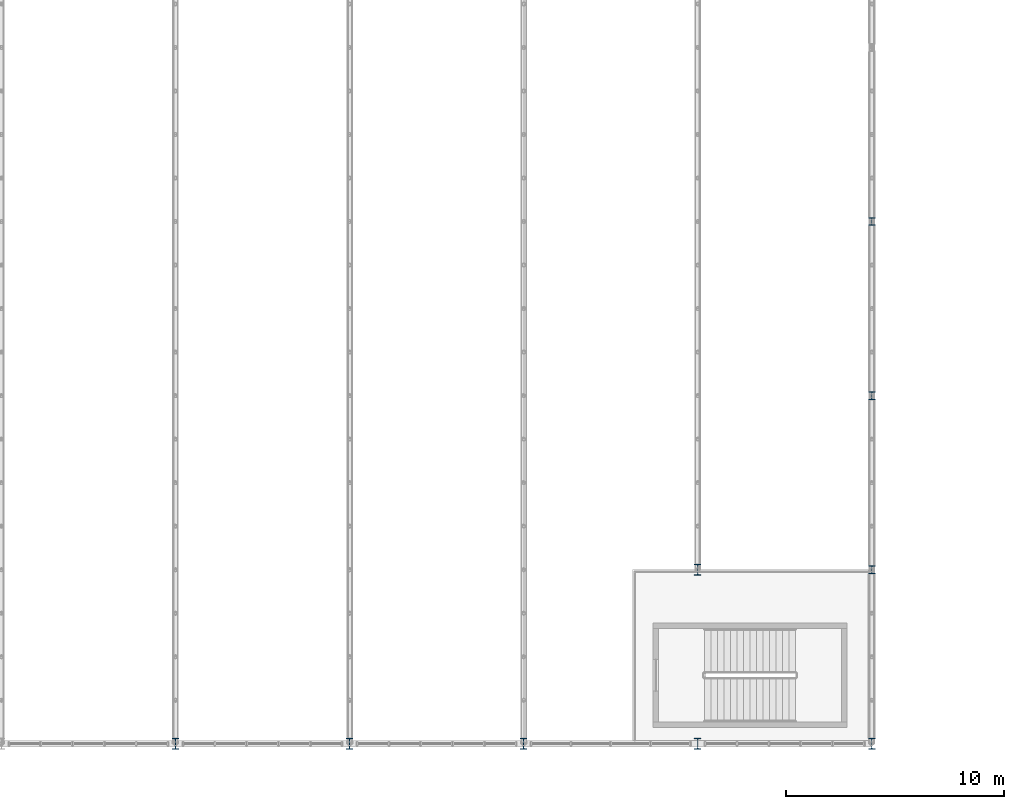
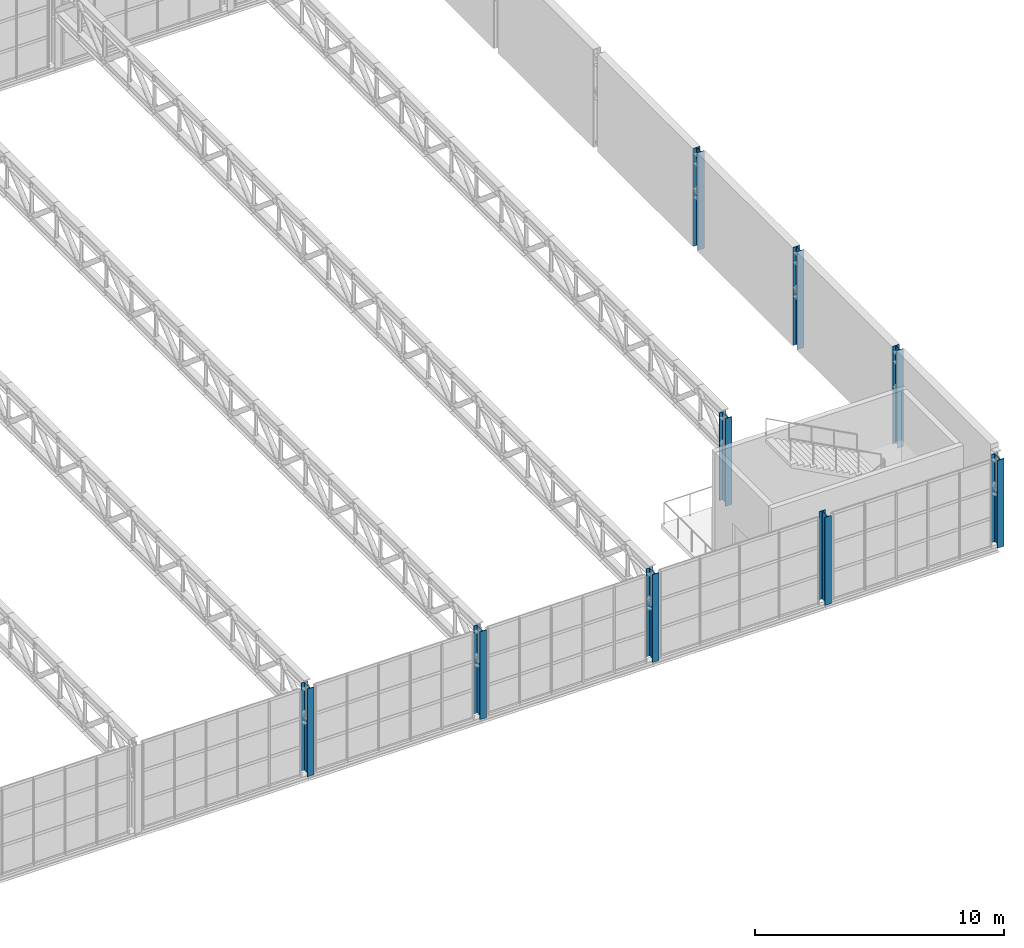
# One storey, part 15 of 143: 9 columns.
"""IFC4 building model written with IfcOpenShell, lengths in metres."""

from ifc_helpers import new_model, si_unit, derived_unit, direction, frame, origin, origin_2d, place, context, subcontext, project, spatial, i_section, extrude, material, material_profile, profile_set, type_object, element, save


model = new_model("IFC4")

# Units and contexts
model_context = context("Model", 3, precision=1e-05, world=origin(), true_north=direction((0.0, 1.0)))
body_context = subcontext(model_context, "Body", "Model", "MODEL_VIEW")
ifc_project = project(units=[si_unit("LENGTHUNIT", "METRE"), si_unit("AREAUNIT", "SQUARE_METRE"), si_unit("VOLUMEUNIT", "CUBIC_METRE"), si_unit("PLANEANGLEUNIT", "RADIAN"), si_unit("MASSUNIT", "GRAM", prefix="KILO"), derived_unit("THERMALTRANSMITTANCEUNIT", [(si_unit("POWERUNIT", "WATT"), 1), (si_unit("LENGTHUNIT", "METRE"), -2), (si_unit("THERMODYNAMICTEMPERATUREUNIT", "KELVIN"), -1)])], contexts=[model_context])

# Site, building, storey
site_placement = place(None, origin())
site = spatial("IfcSite", under=ifc_project, at=site_placement, CompositionType="ELEMENT")
building_placement = place(site_placement, origin())
building = spatial("IfcBuilding", under=site, at=building_placement, Name="Keldorne Ridge Multi-Sports Centre", CompositionType="ELEMENT")
storey_placement = place(building_placement, frame((0.0, 0.0, 4.800048828125)))
storey = spatial("IfcBuildingStorey", under=building, at=storey_placement, Name="L01", CompositionType="ELEMENT", Elevation=4.800048828125)

# Columns
ifc_material = material(Name="Steel S355", Category="steel")
ifc_material_profile_1 = material_profile(ifc_material, i_section(OverallWidth=0.300048828125, OverallDepth=0.5, WebThickness=0.014404296875, FlangeThickness=0.028076171875, FilletRadius=0.027099609375, at=origin_2d()), Name="HEB 500")
ifc_profile_set_1 = profile_set([ifc_material_profile_1], Name="Steel S355")
column_type_1 = type_object("IfcColumnType", Name="COL-C-05", PredefinedType="COLUMN", material=ifc_profile_set_1)
for number, where, z_axis, x_axis, name in (
    (1, (136.0, 6.0, 0.0), (0.0, 0.0, 1.0), (1.0, 0.0, 0.0), "Structural column V2-TRUSS-S-05 on L01"),
    (2, (144.0, 6.0, 0.0), (0.0, 0.0, 1.0), (1.0, 0.0, 0.0), "Structural column V2-TRUSS-S-06 on L01"),
    (3, (152.0, 6.0, 0.0), (0.0, 0.0, 1.0), (1.0, 0.0, 0.0), "Structural column V2-TRUSS-S-07 on L01"),
    (4, (160.0, 6.0, 0.0), (0.0, 0.0, 1.0), (1.0, 0.0, 0.0), "Structural column V2-TRUSS-S-08 on L01"),
    (5, (168.0, 6.0, 0.0), (0.0, 0.0, 1.0), (1.0, 0.0, 0.0), "Structural column V2-TRUSS-S-09 on L01"),
    (6, (160.0, 14.0, 0.0), (0.0, 0.0, 1.0), (1.0, 0.0, 0.0), "Structural column V2-C5-ANCH on L01"),
):
    element("IfcColumn", number, at=place(storey_placement, frame(where, z_axis=z_axis, x_axis=x_axis)), inside=storey, type_object=column_type_1, Name=name, PredefinedType="COLUMN", context=body_context, shape_type="SweptSolid", body=[
        extrude(i_section(OverallWidth=0.300048828125, OverallDepth=0.5, WebThickness=0.014404296875, FlangeThickness=0.028076171875, FilletRadius=0.027099609375, at=origin_2d()), origin(), (0.0, 0.0, 1.0), 4.31005859375),
    ])
ifc_material_profile_2 = material_profile(ifc_material, i_section(OverallWidth=0.300048828125, OverallDepth=0.360107421875, WebThickness=0.012451171875, FlangeThickness=0.0224609375, FilletRadius=0.027099609375, at=origin_2d()), Name="HEB 360")
ifc_profile_set_2 = profile_set([ifc_material_profile_2], Name="Steel S355")
column_type_2 = type_object("IfcColumnType", Name="COL-C-10", PredefinedType="COLUMN", material=ifc_profile_set_2)
for number, where, z_axis, x_axis, name in (
    (7, (168.0, 14.0, 0.0), (0.0, 0.0, 1.0), (1.0, 0.0, 0.0), "Structural column V2-GABLE-E-01 on L01"),
    (8, (168.0, 22.0, 0.0), (0.0, 0.0, 1.0), (1.0, 0.0, 0.0), "Structural column V2-GABLE-E-02 on L01"),
    (9, (168.0, 30.0, 0.0), (0.0, 0.0, 1.0), (1.0, 0.0, 0.0), "Structural column V2-GABLE-E-03 on L01"),
):
    element("IfcColumn", number, at=place(storey_placement, frame(where, z_axis=z_axis, x_axis=x_axis)), inside=storey, type_object=column_type_2, Name=name, PredefinedType="COLUMN", context=body_context, shape_type="SweptSolid", body=[
        extrude(i_section(OverallWidth=0.300048828125, OverallDepth=0.360107421875, WebThickness=0.012451171875, FlangeThickness=0.0224609375, FilletRadius=0.027099609375, at=origin_2d()), origin(), (0.0, 0.0, 1.0), 4.800048828125),
    ])

save(model, "model.ifc")
